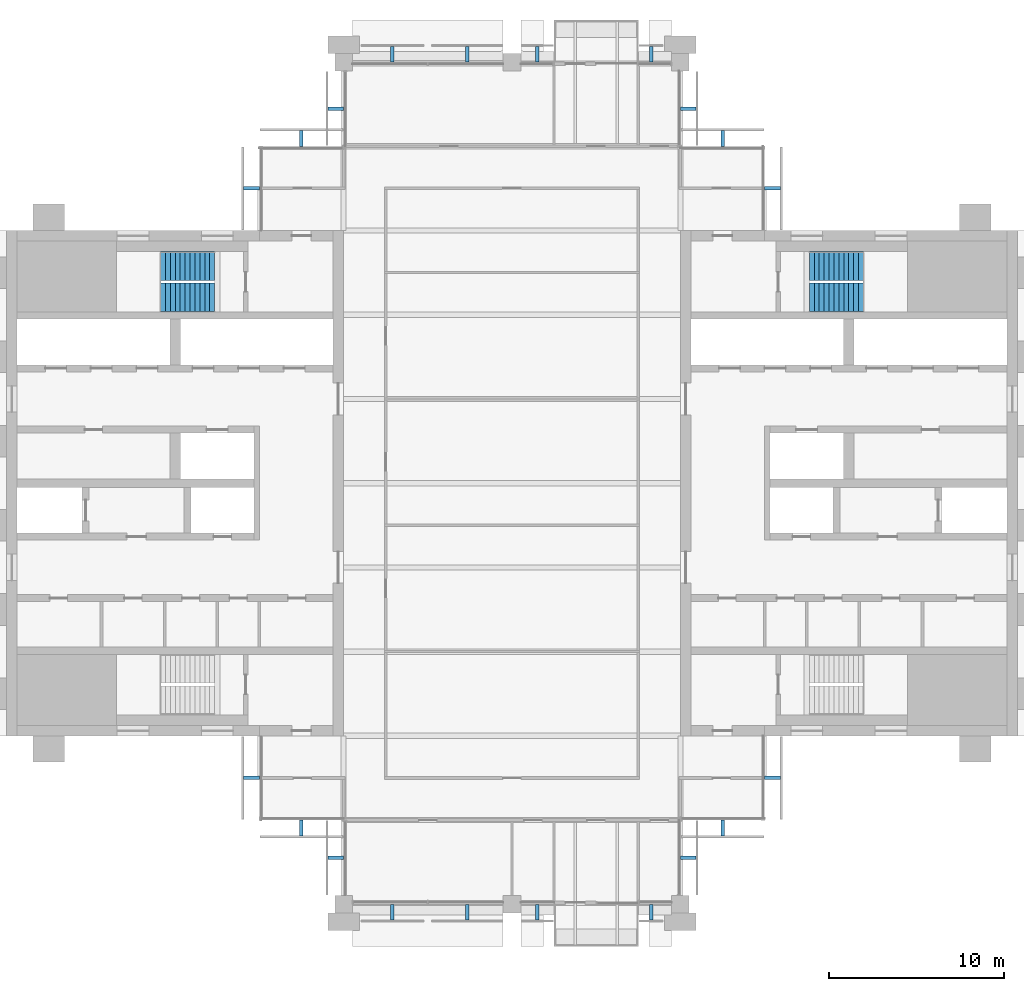
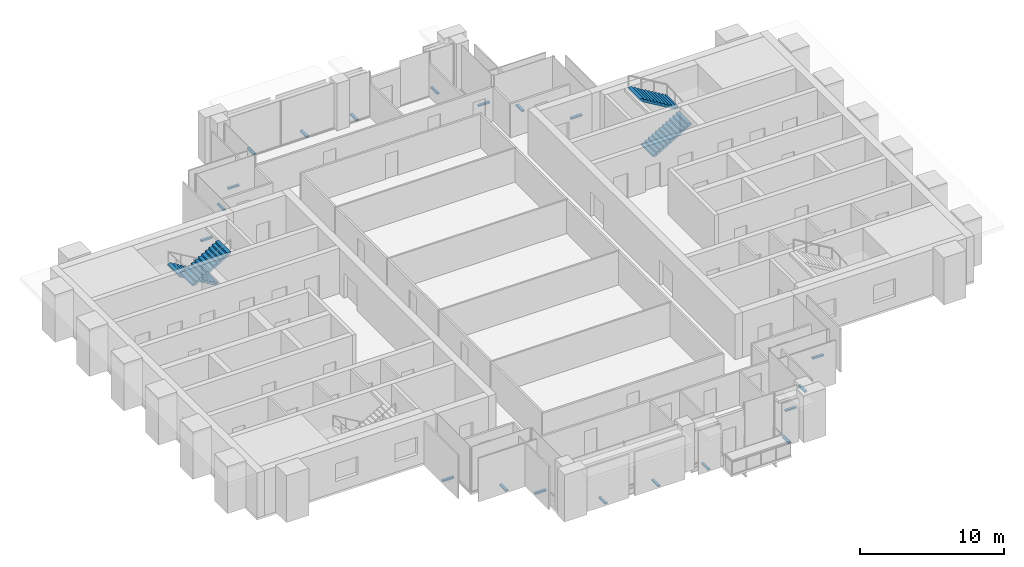
# One storey, part 12 of 13: 20 discrete accessories, 4 stair flights, 2 elements without a shape of their own.
"""IFC4 building model written with IfcOpenShell, lengths in metres."""

from ifc_helpers import new_model, si_unit, direction, frame, origin, origin_2d, place, context, subcontext, project, spatial, polyline, rectangle, outline, extrude, material, type_object, element, aggregate, save


model = new_model("IFC4")

# Units and contexts
model_context = context("Model", 3, precision=1e-05, world=origin(), true_north=direction((0.0, 1.0)))
body_context = subcontext(model_context, "Body", "Model", "MODEL_VIEW")
ifc_project = project(units=[si_unit("LENGTHUNIT", "METRE"), si_unit("AREAUNIT", "SQUARE_METRE"), si_unit("VOLUMEUNIT", "CUBIC_METRE"), si_unit("PLANEANGLEUNIT", "RADIAN"), si_unit("MASSUNIT", "GRAM", prefix="KILO")], contexts=[model_context])

# Site, building, storey
site_placement = place(None, origin())
site = spatial("IfcSite", under=ifc_project, at=site_placement, CompositionType="ELEMENT")
building_placement = place(site_placement, origin())
building = spatial("IfcBuilding", under=site, at=building_placement, Name="Baori Bourse Tower", CompositionType="ELEMENT")
storey_placement = place(building_placement, frame((0.0, 0.0, 326.300048828125)))
storey = spatial("IfcBuildingStorey", under=building, at=storey_placement, Name="L72", CompositionType="ELEMENT", Elevation=326.300048828125)

# Stair, stair flights
ifc_material_1 = material(Name="Concrete f'c 50 MPa", Category="concrete")
stair_type = type_object("IfcStairType", Name="Core stair", PredefinedType="HALF_TURN_STAIR", material=ifc_material_1)
stair_1_placement = place(storey_placement, origin())
stair_1 = element("IfcStair", 1, at=stair_1_placement, inside=storey, type_object=stair_type, Name="L72 Stair WB", PredefinedType="HALF_TURN_STAIR")
ifc_material_2 = material(Name="Concrete f'c 50 MPa", Category="concrete")
stair_flight_type = type_object("IfcStairFlightType", Name="Core stair flight", PredefinedType="STRAIGHT", material=ifc_material_2)
stair_flight_1_placement = place(storey_placement, frame((11.85009765625, 36.375, 0.0), z_axis=(0.0, 0.0, 1.0), x_axis=(-1.0, 0.0, 0.0)))
stair_flight_1 = element("IfcStairFlight", 2, at=stair_flight_1_placement, type_object=stair_flight_type, Name="ST2 flight 1", NumberOfRisers=12, NumberOfTreads=11, PredefinedType="STRAIGHT", RiserHeight=0.166666667, TreadLength=0.28, context=body_context, shape_type="SweptSolid", body=[
    extrude(outline(polyline([(0.0, 0.0), (0.0, 0.166748046875), (0.280029296875, 0.166748046875), (0.280029296875, 0.333251953125), (0.56005859375, 0.333251953125), (0.56005859375, 0.5), (0.840087890625, 0.5), (0.840087890625, 0.666748046875), (1.1201171875, 0.666748046875), (1.1201171875, 0.833251953125), (1.39990234375, 0.833251953125), (1.39990234375, 1.0), (1.679931640625, 1.0), (1.679931640625, 1.166748046875), (1.9599609375, 1.166748046875), (1.9599609375, 1.333251953125), (2.239990234375, 1.333251953125), (2.239990234375, 1.5), (2.52001953125, 1.5), (2.52001953125, 1.666748046875), (2.800048828125, 1.666748046875), (2.800048828125, 1.833251953125), (3.080078125, 1.833251953125), (3.080078125, 2.0), (3.080078125, 1.658935546875), (0.29296875, 0.0), (0.0, 0.0)])), frame((0.0, 0.824951171875, 0.0), z_axis=(0.0, -1.0, 0.0), x_axis=(1.0, 0.0, 0.0)), (0.0, 0.0, 1.0), 1.64990234375),
])
stair_flight_2_placement = place(storey_placement, frame((8.77001953125, 34.574951171875, 2.0), z_axis=(0.0, 0.0, 1.0), x_axis=(1.0, 0.0, 0.0)))
stair_flight_2 = element("IfcStairFlight", 3, at=stair_flight_2_placement, type_object=stair_flight_type, Name="ST2 flight 2", NumberOfRisers=12, NumberOfTreads=11, PredefinedType="STRAIGHT", RiserHeight=0.166666667, TreadLength=0.28, context=body_context, shape_type="SweptSolid", body=[
    extrude(outline(polyline([(0.0, 0.0), (0.0, 0.166748046875), (0.280029296875, 0.166748046875), (0.280029296875, 0.333251953125), (0.56005859375, 0.333251953125), (0.56005859375, 0.5), (0.840087890625, 0.5), (0.840087890625, 0.666748046875), (1.1201171875, 0.666748046875), (1.1201171875, 0.833251953125), (1.39990234375, 0.833251953125), (1.39990234375, 1.0), (1.679931640625, 1.0), (1.679931640625, 1.166748046875), (1.9599609375, 1.166748046875), (1.9599609375, 1.333251953125), (2.239990234375, 1.333251953125), (2.239990234375, 1.5), (2.52001953125, 1.5), (2.52001953125, 1.666748046875), (2.800048828125, 1.666748046875), (2.800048828125, 1.833251953125), (3.080078125, 1.833251953125), (3.080078125, 2.0), (3.080078125, 1.658935546875), (0.29296875, 0.0), (0.0, 0.0)])), frame((0.0, 0.824951171875, 0.0), z_axis=(0.0, -1.0, 0.0), x_axis=(1.0, 0.0, 0.0)), (0.0, 0.0, 1.0), 1.64990234375),
])
aggregate(stair_1, [stair_flight_1, stair_flight_2])

stair_2_placement = place(storey_placement, origin())
stair_2 = element("IfcStair", 4, at=stair_2_placement, inside=storey, type_object=stair_type, Name="L72 Stair EB", PredefinedType="HALF_TURN_STAIR")
stair_flight_3_placement = place(storey_placement, frame((45.75, 34.574951171875, 0.0), z_axis=(0.0, 0.0, 1.0), x_axis=(1.0, 0.0, 0.0)))
stair_flight_3 = element("IfcStairFlight", 5, at=stair_flight_3_placement, type_object=stair_flight_type, Name="ST4 flight 1", NumberOfRisers=12, NumberOfTreads=11, PredefinedType="STRAIGHT", RiserHeight=0.166666667, TreadLength=0.28, context=body_context, shape_type="SweptSolid", body=[
    extrude(outline(polyline([(0.0, 0.0), (0.0, 0.166748046875), (0.280029296875, 0.166748046875), (0.280029296875, 0.333251953125), (0.56005859375, 0.333251953125), (0.56005859375, 0.5), (0.840087890625, 0.5), (0.840087890625, 0.666748046875), (1.1201171875, 0.666748046875), (1.1201171875, 0.833251953125), (1.39990234375, 0.833251953125), (1.39990234375, 1.0), (1.679931640625, 1.0), (1.679931640625, 1.166748046875), (1.9599609375, 1.166748046875), (1.9599609375, 1.333251953125), (2.239990234375, 1.333251953125), (2.239990234375, 1.5), (2.52001953125, 1.5), (2.52001953125, 1.666748046875), (2.800048828125, 1.666748046875), (2.800048828125, 1.833251953125), (3.080078125, 1.833251953125), (3.080078125, 2.0), (3.080078125, 1.658935546875), (0.29296875, 0.0), (0.0, 0.0)])), frame((0.0, 0.824951171875, 0.0), z_axis=(0.0, -1.0, 0.0), x_axis=(1.0, 0.0, 0.0)), (0.0, 0.0, 1.0), 1.64990234375),
])
stair_flight_4_placement = place(storey_placement, frame((48.830078125, 36.375, 2.0), z_axis=(0.0, 0.0, 1.0), x_axis=(-1.0, 0.0, 0.0)))
stair_flight_4 = element("IfcStairFlight", 6, at=stair_flight_4_placement, type_object=stair_flight_type, Name="ST4 flight 2", NumberOfRisers=12, NumberOfTreads=11, PredefinedType="STRAIGHT", RiserHeight=0.166666667, TreadLength=0.28, context=body_context, shape_type="SweptSolid", body=[
    extrude(outline(polyline([(0.0, 0.0), (0.0, 0.166748046875), (0.280029296875, 0.166748046875), (0.280029296875, 0.333251953125), (0.56005859375, 0.333251953125), (0.56005859375, 0.5), (0.840087890625, 0.5), (0.840087890625, 0.666748046875), (1.1201171875, 0.666748046875), (1.1201171875, 0.833251953125), (1.39990234375, 0.833251953125), (1.39990234375, 1.0), (1.679931640625, 1.0), (1.679931640625, 1.166748046875), (1.9599609375, 1.166748046875), (1.9599609375, 1.333251953125), (2.239990234375, 1.333251953125), (2.239990234375, 1.5), (2.52001953125, 1.5), (2.52001953125, 1.666748046875), (2.800048828125, 1.666748046875), (2.800048828125, 1.833251953125), (3.080078125, 1.833251953125), (3.080078125, 2.0), (3.080078125, 1.658935546875), (0.29296875, 0.0), (0.0, 0.0)])), frame((0.0, 0.824951171875, 0.0), z_axis=(0.0, -1.0, 0.0), x_axis=(1.0, 0.0, 0.0)), (0.0, 0.0, 1.0), 1.64990234375),
])
aggregate(stair_2, [stair_flight_3, stair_flight_4])

# Discrete accessories
ifc_material_3 = material(Name="Pale anodised aluminium", Category="aluminium")
discrete_accessory_type = type_object("IfcDiscreteAccessoryType", Name="OS2 Outer skin bracket", PredefinedType="BRACKET", material=ifc_material_3)
for number, where, z_axis, x_axis, name in (
    (7, (43.64990234375, 40.800048828125, -0.14404296875), (0.0, 0.0, 1.0), (0.0, 1.0, 0.0), "Outer skin bracket L72 1"),
    (8, (40.800048828125, 43.64990234375, -0.14404296875), (0.0, 0.0, 1.0), (-1.0, 0.0, 0.0), "Outer skin bracket L72 2"),
    (9, (38.85009765625, 45.35009765625, -0.14404296875), (0.0, 0.0, 1.0), (0.0, 1.0, 0.0), "Outer skin bracket L72 3"),
    (10, (36.72509765625, 48.449951171875, -0.14404296875), (0.0, 0.0, 1.0), (-1.0, 0.0, 0.0), "Outer skin bracket L72 4"),
    (11, (30.25, 48.449951171875, -0.14404296875), (0.0, 0.0, 1.0), (-1.0, 0.0, 0.0), "Outer skin bracket L72 5"),
    (12, (26.237548828125, 48.449951171875, -0.14404296875), (0.0, 0.0, 1.0), (-1.0, 0.0, 0.0), "Outer skin bracket L72 6"),
    (13, (21.987548828125, 48.449951171875, -0.14404296875), (0.0, 0.0, 1.0), (-1.0, 0.0, 0.0), "Outer skin bracket L72 7"),
    (14, (18.75, 45.35009765625, -0.14404296875), (0.0, 0.0, 1.0), (0.0, -1.0, 0.0), "Outer skin bracket L72 8"),
    (15, (16.800048828125, 43.64990234375, -0.14404296875), (0.0, 0.0, 1.0), (-1.0, 0.0, 0.0), "Outer skin bracket L72 9"),
    (16, (13.949951171875, 40.800048828125, -0.14404296875), (0.0, 0.0, 1.0), (0.0, -1.0, 0.0), "Outer skin bracket L72 10"),
    (17, (13.949951171875, 7.199951171875, -0.14404296875), (0.0, 0.0, 1.0), (0.0, -1.0, 0.0), "Outer skin bracket L72 11"),
    (18, (16.800048828125, 4.35009765625, -0.14404296875), (0.0, 0.0, 1.0), (1.0, 0.0, 0.0), "Outer skin bracket L72 12"),
    (19, (18.75, 2.64990234375, -0.14404296875), (0.0, 0.0, 1.0), (0.0, -1.0, 0.0), "Outer skin bracket L72 13"),
    (20, (21.987548828125, -0.449951171875, -0.14404296875), (0.0, 0.0, 1.0), (1.0, 0.0, 0.0), "Outer skin bracket L72 14"),
    (21, (26.237548828125, -0.449951171875, -0.14404296875), (0.0, 0.0, 1.0), (1.0, 0.0, 0.0), "Outer skin bracket L72 15"),
    (22, (30.25, -0.449951171875, -0.14404296875), (0.0, 0.0, 1.0), (1.0, 0.0, 0.0), "Outer skin bracket L72 16"),
    (23, (36.72509765625, -0.449951171875, -0.14404296875), (0.0, 0.0, 1.0), (1.0, 0.0, 0.0), "Outer skin bracket L72 17"),
    (24, (38.85009765625, 2.64990234375, -0.14404296875), (0.0, 0.0, 1.0), (0.0, 1.0, 0.0), "Outer skin bracket L72 18"),
    (25, (40.800048828125, 4.35009765625, -0.14404296875), (0.0, 0.0, 1.0), (1.0, 0.0, 0.0), "Outer skin bracket L72 19"),
    (26, (43.64990234375, 7.199951171875, -0.14404296875), (0.0, 0.0, 1.0), (0.0, 1.0, 0.0), "Outer skin bracket L72 20"),
):
    element("IfcDiscreteAccessory", number, at=place(storey_placement, frame(where, z_axis=z_axis, x_axis=x_axis)), inside=storey, type_object=discrete_accessory_type, Name=name, PredefinedType="BRACKET", context=body_context, shape_type="SweptSolid", body=[
        extrude(rectangle(XDim=0.199951171875, YDim=0.89990234375, at=origin_2d()), origin(), (0.0, 0.0, 1.0), 0.1279296875),
    ])

save(model, "model.ifc")
